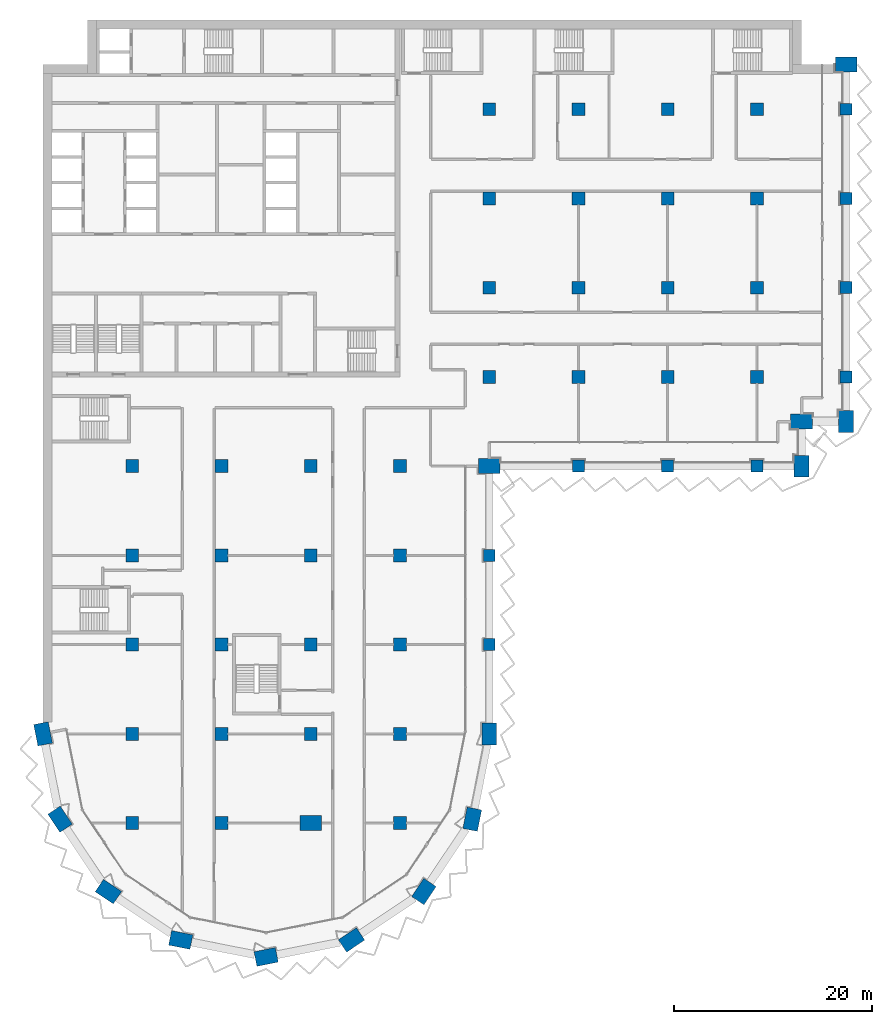
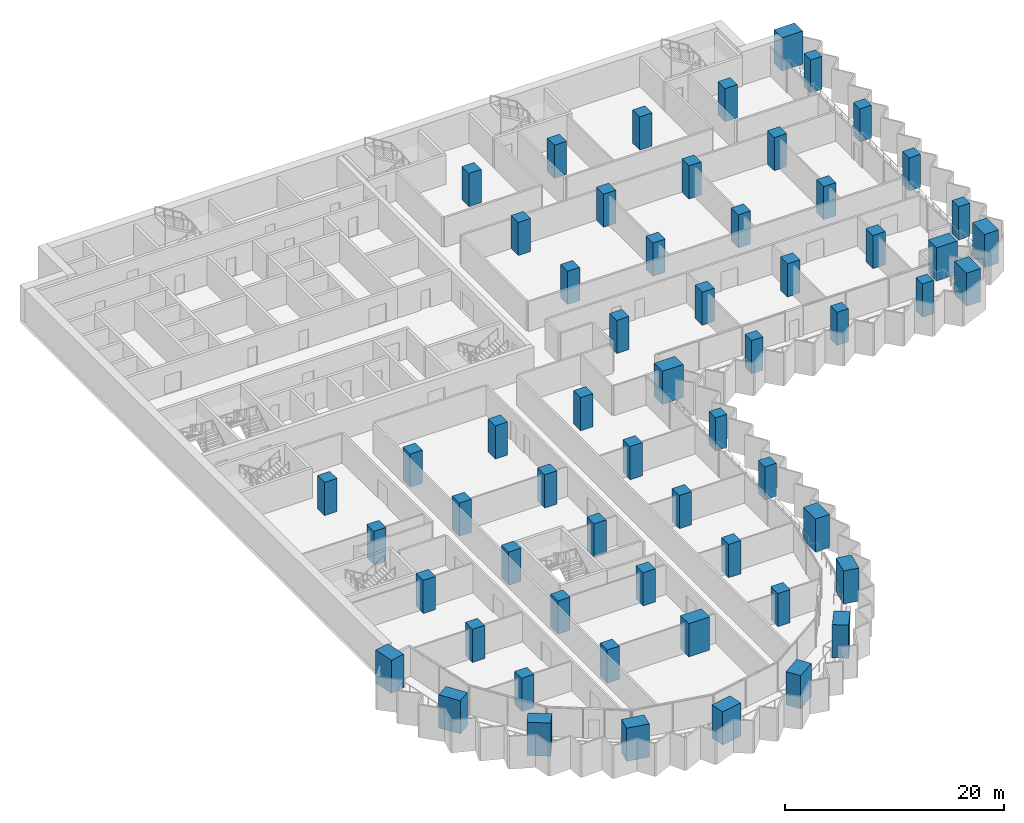
# One storey, part 1 of 22: 59 columns.
"""IFC4 building model written with IfcOpenShell, lengths in metres."""

from ifc_helpers import new_model, si_unit, direction, frame, origin, origin_2d, place, context, subcontext, project, spatial, rectangle, extrude, material, material_profile, profile_set, type_object, element, save


model = new_model("IFC4")

# Units and contexts
model_context = context("Model", 3, precision=1e-05, world=origin(), true_north=direction((0.0, 1.0)))
body_context = subcontext(model_context, "Body", "Model", "MODEL_VIEW")
ifc_project = project(units=[si_unit("LENGTHUNIT", "METRE"), si_unit("AREAUNIT", "SQUARE_METRE"), si_unit("VOLUMEUNIT", "CUBIC_METRE"), si_unit("PLANEANGLEUNIT", "RADIAN"), si_unit("MASSUNIT", "GRAM", prefix="KILO")], contexts=[model_context])

# Site, building, storey
site_placement = place(None, origin())
site = spatial("IfcSite", under=ifc_project, at=site_placement, CompositionType="ELEMENT")
building_placement = place(site_placement, origin())
building = spatial("IfcBuilding", under=site, at=building_placement, Name="Hunhe Ridgeline Campus", CompositionType="ELEMENT")
storey_placement = place(building_placement, frame((0.0, 0.0, 114.39990234375)))
storey = spatial("IfcBuildingStorey", under=building, at=storey_placement, Name="L28", CompositionType="ELEMENT", Elevation=114.39990234375)

# Columns
ifc_material = material(Name="Concrete C70", Category="concrete")
ifc_material_profile_1 = material_profile(ifc_material, rectangle(XDim=2.199951171875, YDim=1.5, at=origin_2d()))
ifc_profile_set_1 = profile_set([ifc_material_profile_1], Name="Concrete C70")
column_type_1 = type_object("IfcColumnType", Name="Megacolumn 2200x1500 Concrete C70", PredefinedType="COLUMN", material=ifc_profile_set_1)
for number, where, z_axis, x_axis, name in (
    (1, (22.5, 4.5, 0.0), (0.0, 0.0, 1.0), (0.980785280403, 0.195090322016, 0.0), "Column C6 R1 L28"),
    (2, (13.8896484375, 6.212646484375, 0.0), (0.0, 0.0, 1.0), (-0.980785280403, 0.195090322016, 0.0), "Column C6 R2 L28"),
    (3, (31.1103515625, 6.212646484375, 0.0), (0.0, 0.0, 1.0), (0.831469612303, 0.55557023302, 0.0), "Column C6 R3 L28"),
    (4, (6.590087890625, 11.090087890625, 0.0), (0.0, 0.0, 1.0), (-0.831469612303, 0.55557023302, 0.0), "Column C6 R4 L28"),
    (5, (38.409912109375, 11.090087890625, 0.0), (0.0, 0.0, 1.0), (0.55557023302, 0.831469612303, 0.0), "Column C6 R5 L28"),
    (6, (1.712646484375, 18.3896484375, 0.0), (0.0, 0.0, 1.0), (-0.55557023302, 0.831469612303, 0.0), "Column C6 R9 L28"),
    (7, (43.287353515625, 18.3896484375, 0.0), (0.0, 0.0, 1.0), (0.195090322016, 0.980785280403, 0.0), "Column C6 R10 L28"),
    (8, (0.0, 27.0, 0.0), (0.0, 0.0, 1.0), (-0.195090322016, 0.980785280403, 0.0), "Column C6 D1 L28"),
    (9, (45.0, 27.0, 0.0), (0.0, 0.0, 1.0), (0.0, 1.0, 0.0), "Column C6 D6 L28"),
    (10, (45.0, 54.0, 0.0), (0.0, 0.0, 1.0), (1.0, 0.0, 0.0), "Column C6 G6 L28"),
    (11, (76.5, 54.0, 0.0), (0.0, 0.0, 1.0), (0.0, 1.0, 0.0), "Column C6 R31 L28"),
    (12, (76.5, 58.5, 0.0), (0.0, 0.0, 1.0), (1.0, 0.0, 0.0), "Column C6 R37 L28"),
    (13, (81.0, 58.5, 0.0), (0.0, 0.0, 1.0), (0.0, 1.0, 0.0), "Column C6 R38 L28"),
    (14, (81.0, 94.5, 0.0), (0.0, 0.0, 1.0), (1.0, 0.0, 0.0), "Column C6 R43 L28"),
    (15, (27.0, 18.0, 0.0), (0.0, 0.0, 1.0), (1.0, 0.0, 0.0), "Column C6 C4 L28"),
):
    element("IfcColumn", number, at=place(storey_placement, frame(where, z_axis=z_axis, x_axis=x_axis)), inside=storey, type_object=column_type_1, Name=name, PredefinedType="COLUMN", context=body_context, shape_type="SweptSolid", body=[
        extrude(rectangle(XDim=2.199951171875, YDim=1.5, at=origin_2d()), origin(), (0.0, 0.0, 1.0), 3.7001953125),
    ])
ifc_material_profile_2 = material_profile(ifc_material, rectangle(XDim=1.199951171875, YDim=1.199951171875, at=origin_2d()))
ifc_profile_set_2 = profile_set([ifc_material_profile_2], Name="Concrete C70")
column_type_2 = type_object("IfcColumnType", Name="RC column 1200x1200 Concrete C70", PredefinedType="COLUMN", material=ifc_profile_set_2)
for number, where, z_axis, x_axis, name in (
    (16, (45.0, 36.0, 0.0), (0.0, 0.0, 1.0), (1.0, 0.0, 0.0), "Column C7 E6 L28"),
    (17, (45.0, 45.0, 0.0), (0.0, 0.0, 1.0), (1.0, 0.0, 0.0), "Column C7 F6 L28"),
    (18, (54.0, 54.0, 0.0), (0.0, 0.0, 1.0), (1.0, 0.0, 0.0), "Column C7 G7 L28"),
    (19, (63.0, 54.0, 0.0), (0.0, 0.0, 1.0), (1.0, 0.0, 0.0), "Column C7 G8 L28"),
    (20, (72.0, 54.0, 0.0), (0.0, 0.0, 1.0), (1.0, 0.0, 0.0), "Column C7 G9 L28"),
    (21, (81.0, 63.0, 0.0), (0.0, 0.0, 1.0), (1.0, 0.0, 0.0), "Column C7 H10 L28"),
    (22, (81.0, 72.0, 0.0), (0.0, 0.0, 1.0), (1.0, 0.0, 0.0), "Column C7 I10 L28"),
    (23, (81.0, 81.0, 0.0), (0.0, 0.0, 1.0), (1.0, 0.0, 0.0), "Column C7 J10 L28"),
    (24, (81.0, 90.0, 0.0), (0.0, 0.0, 1.0), (1.0, 0.0, 0.0), "Column C7 K10 L28"),
):
    element("IfcColumn", number, at=place(storey_placement, frame(where, z_axis=z_axis, x_axis=x_axis)), inside=storey, type_object=column_type_2, Name=name, PredefinedType="COLUMN", context=body_context, shape_type="SweptSolid", body=[
        extrude(rectangle(XDim=1.199951171875, YDim=1.199951171875, at=origin_2d()), origin(), (0.0, 0.0, 1.0), 3.7001953125),
    ])
ifc_material_profile_3 = material_profile(ifc_material, rectangle(XDim=1.300048828125, YDim=1.300048828125, at=origin_2d()))
ifc_profile_set_3 = profile_set([ifc_material_profile_3], Name="Concrete C70")
column_type_3 = type_object("IfcColumnType", Name="RC column 1300x1300 Concrete C70", PredefinedType="COLUMN", material=ifc_profile_set_3)
for number, where, z_axis, x_axis, name in (
    (25, (9.0, 18.0, 0.0), (0.0, 0.0, 1.0), (1.0, 0.0, 0.0), "Column C8 C2 L28"),
    (26, (9.0, 27.0, 0.0), (0.0, 0.0, 1.0), (1.0, 0.0, 0.0), "Column C8 D2 L28"),
    (27, (9.0, 36.0, 0.0), (0.0, 0.0, 1.0), (1.0, 0.0, 0.0), "Column C8 E2 L28"),
    (28, (9.0, 45.0, 0.0), (0.0, 0.0, 1.0), (1.0, 0.0, 0.0), "Column C8 F2 L28"),
    (29, (9.0, 54.0, 0.0), (0.0, 0.0, 1.0), (1.0, 0.0, 0.0), "Column C8 G2 L28"),
    (30, (18.0, 18.0, 0.0), (0.0, 0.0, 1.0), (1.0, 0.0, 0.0), "Column C8 C3 L28"),
    (31, (18.0, 27.0, 0.0), (0.0, 0.0, 1.0), (1.0, 0.0, 0.0), "Column C8 D3 L28"),
    (32, (18.0, 36.0, 0.0), (0.0, 0.0, 1.0), (1.0, 0.0, 0.0), "Column C8 E3 L28"),
    (33, (18.0, 45.0, 0.0), (0.0, 0.0, 1.0), (1.0, 0.0, 0.0), "Column C8 F3 L28"),
    (34, (18.0, 54.0, 0.0), (0.0, 0.0, 1.0), (1.0, 0.0, 0.0), "Column C8 G3 L28"),
    (35, (27.0, 27.0, 0.0), (0.0, 0.0, 1.0), (1.0, 0.0, 0.0), "Column C8 D4 L28"),
    (36, (27.0, 36.0, 0.0), (0.0, 0.0, 1.0), (1.0, 0.0, 0.0), "Column C8 E4 L28"),
    (37, (27.0, 45.0, 0.0), (0.0, 0.0, 1.0), (1.0, 0.0, 0.0), "Column C8 F4 L28"),
    (38, (27.0, 54.0, 0.0), (0.0, 0.0, 1.0), (1.0, 0.0, 0.0), "Column C8 G4 L28"),
    (39, (36.0, 18.0, 0.0), (0.0, 0.0, 1.0), (1.0, 0.0, 0.0), "Column C8 C5 L28"),
    (40, (36.0, 27.0, 0.0), (0.0, 0.0, 1.0), (1.0, 0.0, 0.0), "Column C8 D5 L28"),
    (41, (36.0, 36.0, 0.0), (0.0, 0.0, 1.0), (1.0, 0.0, 0.0), "Column C8 E5 L28"),
    (42, (36.0, 45.0, 0.0), (0.0, 0.0, 1.0), (1.0, 0.0, 0.0), "Column C8 F5 L28"),
    (43, (36.0, 54.0, 0.0), (0.0, 0.0, 1.0), (1.0, 0.0, 0.0), "Column C8 G5 L28"),
    (44, (45.0, 63.0, 0.0), (0.0, 0.0, 1.0), (1.0, 0.0, 0.0), "Column C8 H6 L28"),
    (45, (45.0, 72.0, 0.0), (0.0, 0.0, 1.0), (1.0, 0.0, 0.0), "Column C8 I6 L28"),
    (46, (45.0, 81.0, 0.0), (0.0, 0.0, 1.0), (1.0, 0.0, 0.0), "Column C8 J6 L28"),
    (47, (45.0, 90.0, 0.0), (0.0, 0.0, 1.0), (1.0, 0.0, 0.0), "Column C8 K6 L28"),
    (48, (54.0, 63.0, 0.0), (0.0, 0.0, 1.0), (1.0, 0.0, 0.0), "Column C8 H7 L28"),
    (49, (54.0, 72.0, 0.0), (0.0, 0.0, 1.0), (1.0, 0.0, 0.0), "Column C8 I7 L28"),
    (50, (54.0, 81.0, 0.0), (0.0, 0.0, 1.0), (1.0, 0.0, 0.0), "Column C8 J7 L28"),
    (51, (54.0, 90.0, 0.0), (0.0, 0.0, 1.0), (1.0, 0.0, 0.0), "Column C8 K7 L28"),
    (52, (63.0, 63.0, 0.0), (0.0, 0.0, 1.0), (1.0, 0.0, 0.0), "Column C8 H8 L28"),
    (53, (63.0, 72.0, 0.0), (0.0, 0.0, 1.0), (1.0, 0.0, 0.0), "Column C8 I8 L28"),
    (54, (63.0, 81.0, 0.0), (0.0, 0.0, 1.0), (1.0, 0.0, 0.0), "Column C8 J8 L28"),
    (55, (63.0, 90.0, 0.0), (0.0, 0.0, 1.0), (1.0, 0.0, 0.0), "Column C8 K8 L28"),
    (56, (72.0, 63.0, 0.0), (0.0, 0.0, 1.0), (1.0, 0.0, 0.0), "Column C8 H9 L28"),
    (57, (72.0, 72.0, 0.0), (0.0, 0.0, 1.0), (1.0, 0.0, 0.0), "Column C8 I9 L28"),
    (58, (72.0, 81.0, 0.0), (0.0, 0.0, 1.0), (1.0, 0.0, 0.0), "Column C8 J9 L28"),
    (59, (72.0, 90.0, 0.0), (0.0, 0.0, 1.0), (1.0, 0.0, 0.0), "Column C8 K9 L28"),
):
    element("IfcColumn", number, at=place(storey_placement, frame(where, z_axis=z_axis, x_axis=x_axis)), inside=storey, type_object=column_type_3, Name=name, PredefinedType="COLUMN", context=body_context, shape_type="SweptSolid", body=[
        extrude(rectangle(XDim=1.300048828125, YDim=1.300048828125, at=origin_2d()), origin(), (0.0, 0.0, 1.0), 3.7001953125),
    ])

save(model, "model.ifc")
